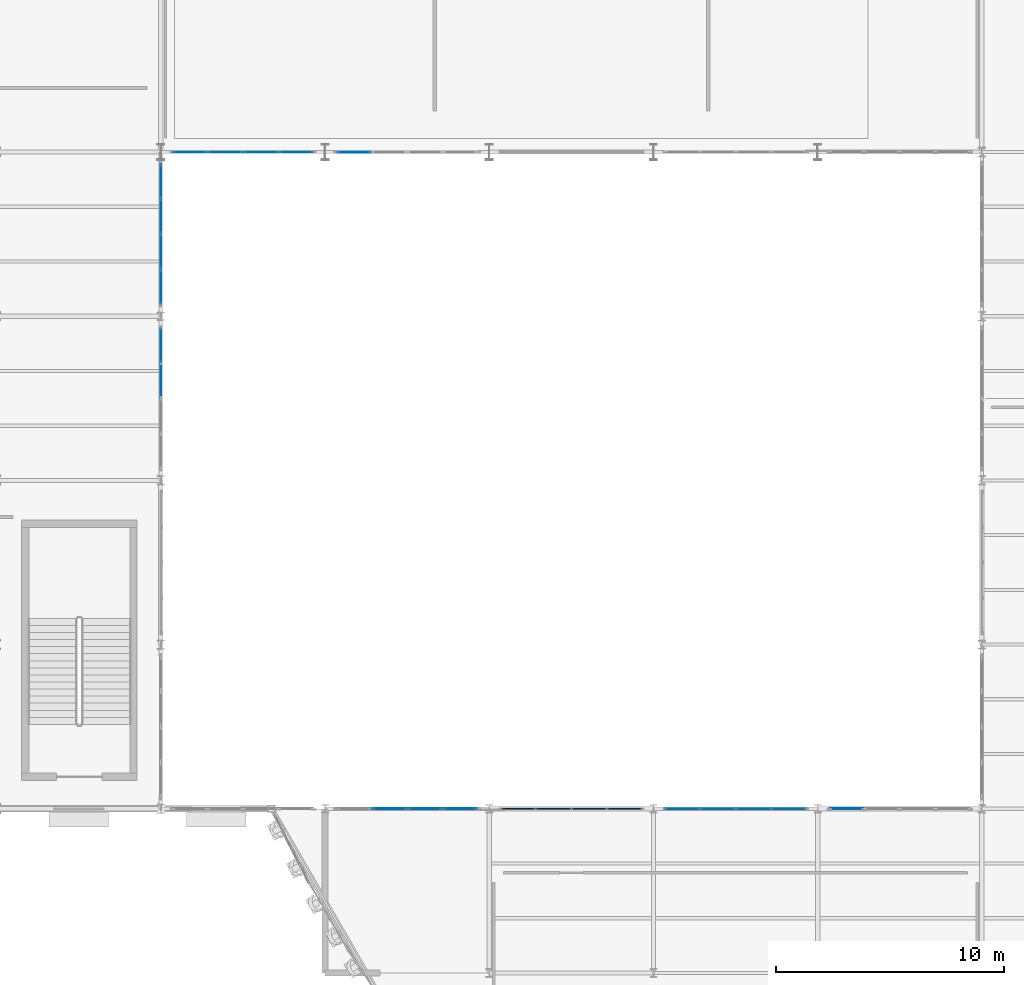
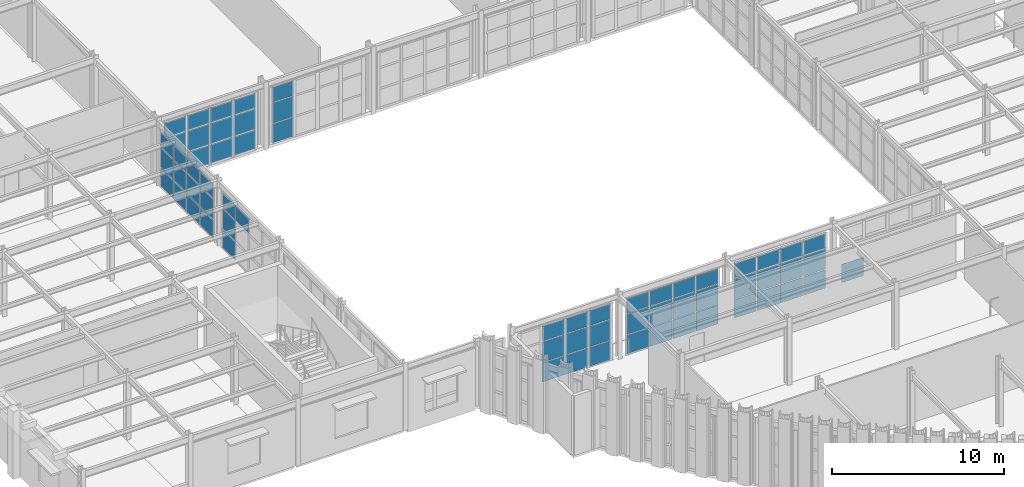
# One storey, part 85 of 126: 65 plates, 8 elements without a shape of their own.
"""IFC4 building model written with IfcOpenShell, lengths in metres."""

from ifc_helpers import new_model, si_unit, direction, frame, origin, origin_2d, place, context, subcontext, project, spatial, rectangle, extrude, material, layer, layer_set, type_object, element, aggregate, save


model = new_model("IFC4")

# Units and contexts
model_context = context("Model", 3, precision=1e-05, world=origin(), true_north=direction((0.0, 1.0)))
body_context = subcontext(model_context, "Body", "Model", "MODEL_VIEW")
ifc_project = project(units=[si_unit("LENGTHUNIT", "METRE"), si_unit("AREAUNIT", "SQUARE_METRE"), si_unit("VOLUMEUNIT", "CUBIC_METRE"), si_unit("PLANEANGLEUNIT", "RADIAN"), si_unit("MASSUNIT", "GRAM", prefix="KILO")], contexts=[model_context])

# Site, building, storey
site_placement = place(None, origin())
site = spatial("IfcSite", under=ifc_project, at=site_placement, CompositionType="ELEMENT")
building_placement = place(site_placement, origin())
building = spatial("IfcBuilding", under=site, at=building_placement, Name="Solvadek Multi-Sports Hall", CompositionType="ELEMENT")
storey_placement = place(building_placement, frame((0.0, 0.0, 9.60009765625)))
storey = spatial("IfcBuildingStorey", under=building, at=storey_placement, Name="L02", CompositionType="ELEMENT", Elevation=9.60009765625)

# Curtain wall, plates
ifc_material_1 = material(Name="Anodised aluminium", Category="aluminium")
ifc_layer_1 = layer(ifc_material_1, 0.159912109375, Name="Anodised aluminium")
ifc_layer_set_1 = layer_set([ifc_layer_1], Name="Anodised aluminium")
curtain_wall_type_1 = type_object("IfcCurtainWallType", Name="ENV-CW-624X400", PredefinedType="USERDEFINED", material=ifc_layer_set_1)
curtain_wall_1_placement = place(storey_placement, origin())
curtain_wall_1 = element("IfcCurtainWall", 1, at=curtain_wall_1_placement, inside=storey, type_object=curtain_wall_type_1, Name="L02 Perimeter Bay Curtain Wall #170", ObjectType="CURTAIN WALL", PredefinedType="USERDEFINED")
ifc_material_2 = material(Name="Tempered laminated low-E glass", Category="glass")
ifc_layer_2 = layer(ifc_material_2, 0.02392578125, Name="Tempered laminated low-E glass")
ifc_layer_set_2 = layer_set([ifc_layer_2], Name="Tempered laminated low-E glass")
plate_type_1 = type_object("IfcPlateType", Name="ENV-CWP-01", PredefinedType="CURTAIN_PANEL", material=ifc_layer_set_2)
plate_1_placement = place(storey_placement, frame((44.47509765625, 20.39990234375, 0.06494140625), z_axis=(0.0, 0.0, 1.0), x_axis=(1.0, 0.0, 0.0)))
plate_1 = element("IfcPlate", 2, at=plate_1_placement, type_object=plate_type_1, Name="CW-56 panel 1.1", PredefinedType="CURTAIN_PANEL", context=body_context, shape_type="SweptSolid", body=[
    extrude(rectangle(XDim=1.469970703125, YDim=0.02392578125, at=origin_2d()), origin(), (0.0, 0.0, 1.0), 1.302490234375),
])
plate_2_placement = place(storey_placement, frame((44.47509765625, 20.39990234375, 1.432373046875), z_axis=(0.0, 0.0, 1.0), x_axis=(1.0, 0.0, 0.0)))
plate_2 = element("IfcPlate", 3, at=plate_2_placement, type_object=plate_type_1, Name="CW-56 panel 1.2", PredefinedType="CURTAIN_PANEL", context=body_context, shape_type="SweptSolid", body=[
    extrude(rectangle(XDim=1.469970703125, YDim=0.02392578125, at=origin_2d()), origin(), (0.0, 0.0, 1.0), 1.4150390625),
])
plate_3_placement = place(storey_placement, frame((44.47509765625, 20.39990234375, 2.912353515625), z_axis=(0.0, 0.0, 1.0), x_axis=(1.0, 0.0, 0.0)))
plate_3 = element("IfcPlate", 4, at=plate_3_placement, type_object=plate_type_1, Name="CW-56 panel 1.3", PredefinedType="CURTAIN_PANEL", context=body_context, shape_type="SweptSolid", body=[
    extrude(rectangle(XDim=1.469970703125, YDim=0.02392578125, at=origin_2d()), origin(), (0.0, 0.0, 1.0), 1.0224609375),
])
plate_4_placement = place(storey_placement, frame((46.02001953125, 20.39990234375, 0.06494140625), z_axis=(0.0, 0.0, 1.0), x_axis=(1.0, 0.0, 0.0)))
plate_4 = element("IfcPlate", 5, at=plate_4_placement, type_object=plate_type_1, Name="CW-56 panel 2.1", PredefinedType="CURTAIN_PANEL", context=body_context, shape_type="SweptSolid", body=[
    extrude(rectangle(XDim=1.5, YDim=0.02392578125, at=origin_2d()), origin(), (0.0, 0.0, 1.0), 1.302490234375),
])
plate_5_placement = place(storey_placement, frame((46.02001953125, 20.39990234375, 1.432373046875), z_axis=(0.0, 0.0, 1.0), x_axis=(1.0, 0.0, 0.0)))
plate_5 = element("IfcPlate", 6, at=plate_5_placement, type_object=plate_type_1, Name="CW-56 panel 2.2", PredefinedType="CURTAIN_PANEL", context=body_context, shape_type="SweptSolid", body=[
    extrude(rectangle(XDim=1.5, YDim=0.02392578125, at=origin_2d()), origin(), (0.0, 0.0, 1.0), 1.4150390625),
])
plate_6_placement = place(storey_placement, frame((46.02001953125, 20.39990234375, 2.912353515625), z_axis=(0.0, 0.0, 1.0), x_axis=(1.0, 0.0, 0.0)))
plate_6 = element("IfcPlate", 7, at=plate_6_placement, type_object=plate_type_1, Name="CW-56 panel 2.3", PredefinedType="CURTAIN_PANEL", context=body_context, shape_type="SweptSolid", body=[
    extrude(rectangle(XDim=1.5, YDim=0.02392578125, at=origin_2d()), origin(), (0.0, 0.0, 1.0), 1.0224609375),
])
plate_7_placement = place(storey_placement, frame((47.580078125, 20.39990234375, 0.06494140625), z_axis=(0.0, 0.0, 1.0), x_axis=(1.0, 0.0, 0.0)))
plate_7 = element("IfcPlate", 8, at=plate_7_placement, type_object=plate_type_1, Name="CW-56 panel 3.1", PredefinedType="CURTAIN_PANEL", context=body_context, shape_type="SweptSolid", body=[
    extrude(rectangle(XDim=1.5, YDim=0.02392578125, at=origin_2d()), origin(), (0.0, 0.0, 1.0), 1.302490234375),
])
plate_8_placement = place(storey_placement, frame((47.580078125, 20.39990234375, 1.432373046875), z_axis=(0.0, 0.0, 1.0), x_axis=(1.0, 0.0, 0.0)))
plate_8 = element("IfcPlate", 9, at=plate_8_placement, type_object=plate_type_1, Name="CW-56 panel 3.2", PredefinedType="CURTAIN_PANEL", context=body_context, shape_type="SweptSolid", body=[
    extrude(rectangle(XDim=1.5, YDim=0.02392578125, at=origin_2d()), origin(), (0.0, 0.0, 1.0), 1.4150390625),
])
plate_9_placement = place(storey_placement, frame((47.580078125, 20.39990234375, 2.912353515625), z_axis=(0.0, 0.0, 1.0), x_axis=(1.0, 0.0, 0.0)))
plate_9 = element("IfcPlate", 10, at=plate_9_placement, type_object=plate_type_1, Name="CW-56 panel 3.3", PredefinedType="CURTAIN_PANEL", context=body_context, shape_type="SweptSolid", body=[
    extrude(rectangle(XDim=1.5, YDim=0.02392578125, at=origin_2d()), origin(), (0.0, 0.0, 1.0), 1.0224609375),
])
plate_10_placement = place(storey_placement, frame((49.125, 20.39990234375, 0.06494140625), z_axis=(0.0, 0.0, 1.0), x_axis=(1.0, 0.0, 0.0)))
plate_10 = element("IfcPlate", 11, at=plate_10_placement, type_object=plate_type_1, Name="CW-56 panel 4.1", PredefinedType="CURTAIN_PANEL", context=body_context, shape_type="SweptSolid", body=[
    extrude(rectangle(XDim=1.469970703125, YDim=0.02392578125, at=origin_2d()), origin(), (0.0, 0.0, 1.0), 1.302490234375),
])
plate_11_placement = place(storey_placement, frame((49.125, 20.39990234375, 1.432373046875), z_axis=(0.0, 0.0, 1.0), x_axis=(1.0, 0.0, 0.0)))
plate_11 = element("IfcPlate", 12, at=plate_11_placement, type_object=plate_type_1, Name="CW-56 panel 4.2", PredefinedType="CURTAIN_PANEL", context=body_context, shape_type="SweptSolid", body=[
    extrude(rectangle(XDim=1.469970703125, YDim=0.02392578125, at=origin_2d()), origin(), (0.0, 0.0, 1.0), 1.4150390625),
])
plate_12_placement = place(storey_placement, frame((49.125, 20.39990234375, 2.912353515625), z_axis=(0.0, 0.0, 1.0), x_axis=(1.0, 0.0, 0.0)))
plate_12 = element("IfcPlate", 13, at=plate_12_placement, type_object=plate_type_1, Name="CW-56 panel 4.3", PredefinedType="CURTAIN_PANEL", context=body_context, shape_type="SweptSolid", body=[
    extrude(rectangle(XDim=1.469970703125, YDim=0.02392578125, at=origin_2d()), origin(), (0.0, 0.0, 1.0), 1.0224609375),
])
aggregate(curtain_wall_1, [plate_1, plate_2, plate_3, plate_4, plate_5, plate_6, plate_7, plate_8, plate_9, plate_10, plate_11, plate_12])

curtain_wall_2_placement = place(storey_placement, origin())
curtain_wall_2 = element("IfcCurtainWall", 14, at=curtain_wall_2_placement, inside=storey, type_object=curtain_wall_type_1, Name="L02 Perimeter Bay Curtain Wall #194", ObjectType="CURTAIN WALL", PredefinedType="USERDEFINED")
plate_13_placement = place(storey_placement, frame((21.60009765625, 39.179931640625, 2.912353515625), z_axis=(0.0, 0.0, 1.0), x_axis=(0.0, 1.0, 0.0)))
plate_13 = element("IfcPlate", 15, at=plate_13_placement, type_object=plate_type_1, Name="CW-56 panel 3.3", PredefinedType="CURTAIN_PANEL", context=body_context, shape_type="SweptSolid", body=[
    extrude(rectangle(XDim=1.5, YDim=0.02392578125, at=origin_2d()), origin(), (0.0, 0.0, 1.0), 1.0224609375),
])
plate_14_placement = place(storey_placement, frame((21.60009765625, 40.72509765625, 0.06494140625), z_axis=(0.0, 0.0, 1.0), x_axis=(0.0, 1.0, 0.0)))
plate_14 = element("IfcPlate", 16, at=plate_14_placement, type_object=plate_type_1, Name="CW-56 panel 4.1", PredefinedType="CURTAIN_PANEL", context=body_context, shape_type="SweptSolid", body=[
    extrude(rectangle(XDim=1.469970703125, YDim=0.02392578125, at=origin_2d()), origin(), (0.0, 0.0, 1.0), 1.302490234375),
])
plate_15_placement = place(storey_placement, frame((21.60009765625, 40.72509765625, 1.432373046875), z_axis=(0.0, 0.0, 1.0), x_axis=(0.0, 1.0, 0.0)))
plate_15 = element("IfcPlate", 17, at=plate_15_placement, type_object=plate_type_1, Name="CW-56 panel 4.2", PredefinedType="CURTAIN_PANEL", context=body_context, shape_type="SweptSolid", body=[
    extrude(rectangle(XDim=1.469970703125, YDim=0.02392578125, at=origin_2d()), origin(), (0.0, 0.0, 1.0), 1.4150390625),
])
plate_16_placement = place(storey_placement, frame((21.60009765625, 40.72509765625, 2.912353515625), z_axis=(0.0, 0.0, 1.0), x_axis=(0.0, 1.0, 0.0)))
plate_16 = element("IfcPlate", 18, at=plate_16_placement, type_object=plate_type_1, Name="CW-56 panel 4.3", PredefinedType="CURTAIN_PANEL", context=body_context, shape_type="SweptSolid", body=[
    extrude(rectangle(XDim=1.469970703125, YDim=0.02392578125, at=origin_2d()), origin(), (0.0, 0.0, 1.0), 1.0224609375),
])
aggregate(curtain_wall_2, [plate_13, plate_14, plate_15, plate_16])

# Curtain wall, plate
ifc_layer_3 = layer(ifc_material_1, 0.159912109375, Name="Anodised aluminium")
ifc_layer_set_3 = layer_set([ifc_layer_3], Name="Anodised aluminium")
curtain_wall_type_2 = type_object("IfcCurtainWallType", Name="ENV-CW-624X397", PredefinedType="USERDEFINED", material=ifc_layer_set_3)
curtain_wall_3_placement = place(storey_placement, origin())
curtain_wall_3 = element("IfcCurtainWall", 19, at=curtain_wall_3_placement, inside=storey, type_object=curtain_wall_type_2, Name="L02 Perimeter Bay Curtain Wall #176", ObjectType="CURTAIN WALL", PredefinedType="USERDEFINED")
ifc_layer_4 = layer(ifc_material_2, 0.028076171875, Name="Tempered laminated low-E glass")
ifc_layer_set_4 = layer_set([ifc_layer_4], Name="Tempered laminated low-E glass")
plate_type_2 = type_object("IfcPlateType", Name="ENV-CWP-02", PredefinedType="CURTAIN_PANEL", material=ifc_layer_set_4)
plate_17_placement = place(storey_placement, frame((51.67626953125, 20.39990234375, 0.06494140625), z_axis=(0.0, 0.0, 1.0), x_axis=(1.0, 0.0, 0.0)))
plate_17 = element("IfcPlate", 20, at=plate_17_placement, type_object=plate_type_2, Name="CW-57 panel 1.1", PredefinedType="CURTAIN_PANEL", context=body_context, shape_type="SweptSolid", body=[
    extrude(rectangle(XDim=1.46240234375, YDim=0.028076171875, at=origin_2d()), origin(), (0.0, 0.0, 1.0), 1.29345703125),
])
aggregate(curtain_wall_3, [plate_17])

# Curtain wall, plates
curtain_wall_4_placement = place(storey_placement, origin())
curtain_wall_4 = element("IfcCurtainWall", 21, at=curtain_wall_4_placement, inside=storey, type_object=curtain_wall_type_2, Name="L02 Perimeter Bay Curtain Wall #199", ObjectType="CURTAIN WALL", PredefinedType="USERDEFINED")
plate_18_placement = place(storey_placement, frame((21.60009765625, 43.2763671875, 0.06494140625), z_axis=(0.0, 0.0, 1.0), x_axis=(0.0, 1.0, 0.0)))
plate_18 = element("IfcPlate", 22, at=plate_18_placement, type_object=plate_type_2, Name="CW-57 panel 1.1", PredefinedType="CURTAIN_PANEL", context=body_context, shape_type="SweptSolid", body=[
    extrude(rectangle(XDim=1.46240234375, YDim=0.028076171875, at=origin_2d()), origin(), (0.0, 0.0, 1.0), 1.29345703125),
])
plate_19_placement = place(storey_placement, frame((21.60009765625, 43.2763671875, 1.42333984375), z_axis=(0.0, 0.0, 1.0), x_axis=(0.0, 1.0, 0.0)))
plate_19 = element("IfcPlate", 23, at=plate_19_placement, type_object=plate_type_2, Name="CW-57 panel 1.2", PredefinedType="CURTAIN_PANEL", context=body_context, shape_type="SweptSolid", body=[
    extrude(rectangle(XDim=1.46240234375, YDim=0.028076171875, at=origin_2d()), origin(), (0.0, 0.0, 1.0), 1.406005859375),
])
plate_20_placement = place(storey_placement, frame((21.60009765625, 43.2763671875, 2.89453125), z_axis=(0.0, 0.0, 1.0), x_axis=(0.0, 1.0, 0.0)))
plate_20 = element("IfcPlate", 24, at=plate_20_placement, type_object=plate_type_2, Name="CW-57 panel 1.3", PredefinedType="CURTAIN_PANEL", context=body_context, shape_type="SweptSolid", body=[
    extrude(rectangle(XDim=1.46240234375, YDim=0.028076171875, at=origin_2d()), origin(), (0.0, 0.0, 1.0), 1.015380859375),
])
plate_21_placement = place(storey_placement, frame((21.60009765625, 44.820068359375, 0.06494140625), z_axis=(0.0, 0.0, 1.0), x_axis=(0.0, 1.0, 0.0)))
plate_21 = element("IfcPlate", 25, at=plate_21_placement, type_object=plate_type_2, Name="CW-57 panel 2.1", PredefinedType="CURTAIN_PANEL", context=body_context, shape_type="SweptSolid", body=[
    extrude(rectangle(XDim=1.4951171875, YDim=0.028076171875, at=origin_2d()), origin(), (0.0, 0.0, 1.0), 1.29345703125),
])
plate_22_placement = place(storey_placement, frame((21.60009765625, 44.820068359375, 1.42333984375), z_axis=(0.0, 0.0, 1.0), x_axis=(0.0, 1.0, 0.0)))
plate_22 = element("IfcPlate", 26, at=plate_22_placement, type_object=plate_type_2, Name="CW-57 panel 2.2", PredefinedType="CURTAIN_PANEL", context=body_context, shape_type="SweptSolid", body=[
    extrude(rectangle(XDim=1.4951171875, YDim=0.028076171875, at=origin_2d()), origin(), (0.0, 0.0, 1.0), 1.406005859375),
])
plate_23_placement = place(storey_placement, frame((21.60009765625, 44.820068359375, 2.89453125), z_axis=(0.0, 0.0, 1.0), x_axis=(0.0, 1.0, 0.0)))
plate_23 = element("IfcPlate", 27, at=plate_23_placement, type_object=plate_type_2, Name="CW-57 panel 2.3", PredefinedType="CURTAIN_PANEL", context=body_context, shape_type="SweptSolid", body=[
    extrude(rectangle(XDim=1.4951171875, YDim=0.028076171875, at=origin_2d()), origin(), (0.0, 0.0, 1.0), 1.015380859375),
])
plate_24_placement = place(storey_placement, frame((21.60009765625, 46.3798828125, 0.06494140625), z_axis=(0.0, 0.0, 1.0), x_axis=(0.0, 1.0, 0.0)))
plate_24 = element("IfcPlate", 28, at=plate_24_placement, type_object=plate_type_2, Name="CW-57 panel 3.1", PredefinedType="CURTAIN_PANEL", context=body_context, shape_type="SweptSolid", body=[
    extrude(rectangle(XDim=1.4951171875, YDim=0.028076171875, at=origin_2d()), origin(), (0.0, 0.0, 1.0), 1.29345703125),
])
plate_25_placement = place(storey_placement, frame((21.60009765625, 46.3798828125, 1.42333984375), z_axis=(0.0, 0.0, 1.0), x_axis=(0.0, 1.0, 0.0)))
plate_25 = element("IfcPlate", 29, at=plate_25_placement, type_object=plate_type_2, Name="CW-57 panel 3.2", PredefinedType="CURTAIN_PANEL", context=body_context, shape_type="SweptSolid", body=[
    extrude(rectangle(XDim=1.4951171875, YDim=0.028076171875, at=origin_2d()), origin(), (0.0, 0.0, 1.0), 1.406005859375),
])
plate_26_placement = place(storey_placement, frame((21.60009765625, 46.3798828125, 2.89453125), z_axis=(0.0, 0.0, 1.0), x_axis=(0.0, 1.0, 0.0)))
plate_26 = element("IfcPlate", 30, at=plate_26_placement, type_object=plate_type_2, Name="CW-57 panel 3.3", PredefinedType="CURTAIN_PANEL", context=body_context, shape_type="SweptSolid", body=[
    extrude(rectangle(XDim=1.4951171875, YDim=0.028076171875, at=origin_2d()), origin(), (0.0, 0.0, 1.0), 1.015380859375),
])
plate_27_placement = place(storey_placement, frame((21.60009765625, 47.923828125, 0.06494140625), z_axis=(0.0, 0.0, 1.0), x_axis=(0.0, 1.0, 0.0)))
plate_27 = element("IfcPlate", 31, at=plate_27_placement, type_object=plate_type_2, Name="CW-57 panel 4.1", PredefinedType="CURTAIN_PANEL", context=body_context, shape_type="SweptSolid", body=[
    extrude(rectangle(XDim=1.46240234375, YDim=0.028076171875, at=origin_2d()), origin(), (0.0, 0.0, 1.0), 1.29345703125),
])
plate_28_placement = place(storey_placement, frame((21.60009765625, 47.923828125, 1.42333984375), z_axis=(0.0, 0.0, 1.0), x_axis=(0.0, 1.0, 0.0)))
plate_28 = element("IfcPlate", 32, at=plate_28_placement, type_object=plate_type_2, Name="CW-57 panel 4.2", PredefinedType="CURTAIN_PANEL", context=body_context, shape_type="SweptSolid", body=[
    extrude(rectangle(XDim=1.46240234375, YDim=0.028076171875, at=origin_2d()), origin(), (0.0, 0.0, 1.0), 1.406005859375),
])
plate_29_placement = place(storey_placement, frame((21.60009765625, 47.923828125, 2.89453125), z_axis=(0.0, 0.0, 1.0), x_axis=(0.0, 1.0, 0.0)))
plate_29 = element("IfcPlate", 33, at=plate_29_placement, type_object=plate_type_2, Name="CW-57 panel 4.3", PredefinedType="CURTAIN_PANEL", context=body_context, shape_type="SweptSolid", body=[
    extrude(rectangle(XDim=1.46240234375, YDim=0.028076171875, at=origin_2d()), origin(), (0.0, 0.0, 1.0), 1.015380859375),
])
aggregate(curtain_wall_4, [plate_18, plate_19, plate_20, plate_21, plate_22, plate_23, plate_24, plate_25, plate_26, plate_27, plate_28, plate_29])

ifc_layer_5 = layer(ifc_material_1, 0.159912109375, Name="Anodised aluminium")
ifc_layer_set_5 = layer_set([ifc_layer_5], Name="Anodised aluminium")
curtain_wall_type_3 = type_object("IfcCurtainWallType", Name="ENV-CW-624X408", PredefinedType="USERDEFINED", material=ifc_layer_set_5)
curtain_wall_5_placement = place(storey_placement, origin())
curtain_wall_5 = element("IfcCurtainWall", 34, at=curtain_wall_5_placement, inside=storey, type_object=curtain_wall_type_3, Name="L02 Perimeter Bay Curtain Wall #157", ObjectType="CURTAIN WALL", PredefinedType="USERDEFINED")
ifc_layer_6 = layer(ifc_material_2, 0.035888671875, Name="Tempered laminated low-E glass")
ifc_layer_set_6 = layer_set([ifc_layer_6], Name="Tempered laminated low-E glass")
plate_type_3 = type_object("IfcPlateType", Name="ENV-CWP-04", PredefinedType="CURTAIN_PANEL", material=ifc_layer_set_6)
plate_30_placement = place(storey_placement, frame((22.876220703125, 49.199951171875, 0.06494140625), z_axis=(0.0, 0.0, 1.0), x_axis=(1.0, 0.0, 0.0)))
plate_30 = element("IfcPlate", 35, at=plate_30_placement, type_object=plate_type_3, Name="CW-40 panel 1.1", PredefinedType="CURTAIN_PANEL", context=body_context, shape_type="SweptSolid", body=[
    extrude(rectangle(XDim=1.46240234375, YDim=0.035888671875, at=origin_2d()), origin(), (0.0, 0.0, 1.0), 1.32861328125),
])
plate_31_placement = place(storey_placement, frame((22.876220703125, 49.199951171875, 1.45849609375), z_axis=(0.0, 0.0, 1.0), x_axis=(1.0, 0.0, 0.0)))
plate_31 = element("IfcPlate", 36, at=plate_31_placement, type_object=plate_type_3, Name="CW-40 panel 1.2", PredefinedType="CURTAIN_PANEL", context=body_context, shape_type="SweptSolid", body=[
    extrude(rectangle(XDim=1.46240234375, YDim=0.035888671875, at=origin_2d()), origin(), (0.0, 0.0, 1.0), 1.443115234375),
])
plate_32_placement = place(storey_placement, frame((22.876220703125, 49.199951171875, 2.96630859375), z_axis=(0.0, 0.0, 1.0), x_axis=(1.0, 0.0, 0.0)))
plate_32 = element("IfcPlate", 37, at=plate_32_placement, type_object=plate_type_3, Name="CW-40 panel 1.3", PredefinedType="CURTAIN_PANEL", context=body_context, shape_type="SweptSolid", body=[
    extrude(rectangle(XDim=1.46240234375, YDim=0.035888671875, at=origin_2d()), origin(), (0.0, 0.0, 1.0), 1.04345703125),
])
plate_33_placement = place(storey_placement, frame((24.419921875, 49.199951171875, 0.06494140625), z_axis=(0.0, 0.0, 1.0), x_axis=(1.0, 0.0, 0.0)))
plate_33 = element("IfcPlate", 38, at=plate_33_placement, type_object=plate_type_3, Name="CW-40 panel 2.1", PredefinedType="CURTAIN_PANEL", context=body_context, shape_type="SweptSolid", body=[
    extrude(rectangle(XDim=1.4951171875, YDim=0.035888671875, at=origin_2d()), origin(), (0.0, 0.0, 1.0), 1.32861328125),
])
plate_34_placement = place(storey_placement, frame((24.419921875, 49.199951171875, 1.45849609375), z_axis=(0.0, 0.0, 1.0), x_axis=(1.0, 0.0, 0.0)))
plate_34 = element("IfcPlate", 39, at=plate_34_placement, type_object=plate_type_3, Name="CW-40 panel 2.2", PredefinedType="CURTAIN_PANEL", context=body_context, shape_type="SweptSolid", body=[
    extrude(rectangle(XDim=1.4951171875, YDim=0.035888671875, at=origin_2d()), origin(), (0.0, 0.0, 1.0), 1.443115234375),
])
plate_35_placement = place(storey_placement, frame((24.419921875, 49.199951171875, 2.96630859375), z_axis=(0.0, 0.0, 1.0), x_axis=(1.0, 0.0, 0.0)))
plate_35 = element("IfcPlate", 40, at=plate_35_placement, type_object=plate_type_3, Name="CW-40 panel 2.3", PredefinedType="CURTAIN_PANEL", context=body_context, shape_type="SweptSolid", body=[
    extrude(rectangle(XDim=1.4951171875, YDim=0.035888671875, at=origin_2d()), origin(), (0.0, 0.0, 1.0), 1.04345703125),
])
plate_36_placement = place(storey_placement, frame((25.97998046875, 49.199951171875, 0.06494140625), z_axis=(0.0, 0.0, 1.0), x_axis=(1.0, 0.0, 0.0)))
plate_36 = element("IfcPlate", 41, at=plate_36_placement, type_object=plate_type_3, Name="CW-40 panel 3.1", PredefinedType="CURTAIN_PANEL", context=body_context, shape_type="SweptSolid", body=[
    extrude(rectangle(XDim=1.4951171875, YDim=0.035888671875, at=origin_2d()), origin(), (0.0, 0.0, 1.0), 1.32861328125),
])
plate_37_placement = place(storey_placement, frame((25.97998046875, 49.199951171875, 1.45849609375), z_axis=(0.0, 0.0, 1.0), x_axis=(1.0, 0.0, 0.0)))
plate_37 = element("IfcPlate", 42, at=plate_37_placement, type_object=plate_type_3, Name="CW-40 panel 3.2", PredefinedType="CURTAIN_PANEL", context=body_context, shape_type="SweptSolid", body=[
    extrude(rectangle(XDim=1.4951171875, YDim=0.035888671875, at=origin_2d()), origin(), (0.0, 0.0, 1.0), 1.443115234375),
])
plate_38_placement = place(storey_placement, frame((25.97998046875, 49.199951171875, 2.96630859375), z_axis=(0.0, 0.0, 1.0), x_axis=(1.0, 0.0, 0.0)))
plate_38 = element("IfcPlate", 43, at=plate_38_placement, type_object=plate_type_3, Name="CW-40 panel 3.3", PredefinedType="CURTAIN_PANEL", context=body_context, shape_type="SweptSolid", body=[
    extrude(rectangle(XDim=1.4951171875, YDim=0.035888671875, at=origin_2d()), origin(), (0.0, 0.0, 1.0), 1.04345703125),
])
plate_39_placement = place(storey_placement, frame((27.523681640625, 49.199951171875, 0.06494140625), z_axis=(0.0, 0.0, 1.0), x_axis=(1.0, 0.0, 0.0)))
plate_39 = element("IfcPlate", 44, at=plate_39_placement, type_object=plate_type_3, Name="CW-40 panel 4.1", PredefinedType="CURTAIN_PANEL", context=body_context, shape_type="SweptSolid", body=[
    extrude(rectangle(XDim=1.46240234375, YDim=0.035888671875, at=origin_2d()), origin(), (0.0, 0.0, 1.0), 1.32861328125),
])
plate_40_placement = place(storey_placement, frame((27.523681640625, 49.199951171875, 1.45849609375), z_axis=(0.0, 0.0, 1.0), x_axis=(1.0, 0.0, 0.0)))
plate_40 = element("IfcPlate", 45, at=plate_40_placement, type_object=plate_type_3, Name="CW-40 panel 4.2", PredefinedType="CURTAIN_PANEL", context=body_context, shape_type="SweptSolid", body=[
    extrude(rectangle(XDim=1.46240234375, YDim=0.035888671875, at=origin_2d()), origin(), (0.0, 0.0, 1.0), 1.443115234375),
])
plate_41_placement = place(storey_placement, frame((27.523681640625, 49.199951171875, 2.96630859375), z_axis=(0.0, 0.0, 1.0), x_axis=(1.0, 0.0, 0.0)))
plate_41 = element("IfcPlate", 46, at=plate_41_placement, type_object=plate_type_3, Name="CW-40 panel 4.3", PredefinedType="CURTAIN_PANEL", context=body_context, shape_type="SweptSolid", body=[
    extrude(rectangle(XDim=1.46240234375, YDim=0.035888671875, at=origin_2d()), origin(), (0.0, 0.0, 1.0), 1.04345703125),
])
aggregate(curtain_wall_5, [plate_30, plate_31, plate_32, plate_33, plate_34, plate_35, plate_36, plate_37, plate_38, plate_39, plate_40, plate_41])

ifc_layer_7 = layer(ifc_material_1, 0.159912109375, Name="Anodised aluminium")
ifc_layer_set_7 = layer_set([ifc_layer_7], Name="Anodised aluminium")
curtain_wall_type_4 = type_object("IfcCurtainWallType", Name="ENV-CW-624X405", PredefinedType="USERDEFINED", material=ifc_layer_set_7)
curtain_wall_6_placement = place(storey_placement, origin())
curtain_wall_6 = element("IfcCurtainWall", 47, at=curtain_wall_6_placement, inside=storey, type_object=curtain_wall_type_4, Name="L02 Perimeter Bay Curtain Wall #160", ObjectType="CURTAIN WALL", PredefinedType="USERDEFINED")
ifc_layer_8 = layer(ifc_material_2, 0.0419921875, Name="Tempered laminated low-E glass")
ifc_layer_set_8 = layer_set([ifc_layer_8], Name="Tempered laminated low-E glass")
plate_type_4 = type_object("IfcPlateType", Name="ENV-CWP-05", PredefinedType="CURTAIN_PANEL", material=ifc_layer_set_8)
plate_42_placement = place(storey_placement, frame((31.6201171875, 20.39990234375, 0.06005859375), z_axis=(0.0, 0.0, 1.0), x_axis=(1.0, 0.0, 0.0)))
plate_42 = element("IfcPlate", 48, at=plate_42_placement, type_object=plate_type_4, Name="CW-52 panel 2.1", PredefinedType="CURTAIN_PANEL", context=body_context, shape_type="SweptSolid", body=[
    extrude(rectangle(XDim=1.489990234375, YDim=0.0419921875, at=origin_2d()), origin(), (0.0, 0.0, 1.0), 1.327880859375),
])
plate_43_placement = place(storey_placement, frame((31.6201171875, 20.39990234375, 1.447998046875), z_axis=(0.0, 0.0, 1.0), x_axis=(1.0, 0.0, 0.0)))
plate_43 = element("IfcPlate", 49, at=plate_43_placement, type_object=plate_type_4, Name="CW-52 panel 2.2", PredefinedType="CURTAIN_PANEL", context=body_context, shape_type="SweptSolid", body=[
    extrude(rectangle(XDim=1.489990234375, YDim=0.0419921875, at=origin_2d()), origin(), (0.0, 0.0, 1.0), 1.43798828125),
])
plate_44_placement = place(storey_placement, frame((31.6201171875, 20.39990234375, 2.946044921875), z_axis=(0.0, 0.0, 1.0), x_axis=(1.0, 0.0, 0.0)))
plate_44 = element("IfcPlate", 50, at=plate_44_placement, type_object=plate_type_4, Name="CW-52 panel 2.3", PredefinedType="CURTAIN_PANEL", context=body_context, shape_type="SweptSolid", body=[
    extrude(rectangle(XDim=1.489990234375, YDim=0.0419921875, at=origin_2d()), origin(), (0.0, 0.0, 1.0), 1.0439453125),
])
plate_45_placement = place(storey_placement, frame((33.179931640625, 20.39990234375, 0.06005859375), z_axis=(0.0, 0.0, 1.0), x_axis=(1.0, 0.0, 0.0)))
plate_45 = element("IfcPlate", 51, at=plate_45_placement, type_object=plate_type_4, Name="CW-52 panel 3.1", PredefinedType="CURTAIN_PANEL", context=body_context, shape_type="SweptSolid", body=[
    extrude(rectangle(XDim=1.489990234375, YDim=0.0419921875, at=origin_2d()), origin(), (0.0, 0.0, 1.0), 1.327880859375),
])
plate_46_placement = place(storey_placement, frame((33.179931640625, 20.39990234375, 1.447998046875), z_axis=(0.0, 0.0, 1.0), x_axis=(1.0, 0.0, 0.0)))
plate_46 = element("IfcPlate", 52, at=plate_46_placement, type_object=plate_type_4, Name="CW-52 panel 3.2", PredefinedType="CURTAIN_PANEL", context=body_context, shape_type="SweptSolid", body=[
    extrude(rectangle(XDim=1.489990234375, YDim=0.0419921875, at=origin_2d()), origin(), (0.0, 0.0, 1.0), 1.43798828125),
])
plate_47_placement = place(storey_placement, frame((33.179931640625, 20.39990234375, 2.946044921875), z_axis=(0.0, 0.0, 1.0), x_axis=(1.0, 0.0, 0.0)))
plate_47 = element("IfcPlate", 53, at=plate_47_placement, type_object=plate_type_4, Name="CW-52 panel 3.3", PredefinedType="CURTAIN_PANEL", context=body_context, shape_type="SweptSolid", body=[
    extrude(rectangle(XDim=1.489990234375, YDim=0.0419921875, at=origin_2d()), origin(), (0.0, 0.0, 1.0), 1.0439453125),
])
plate_48_placement = place(storey_placement, frame((34.722412109375, 20.39990234375, 0.06005859375), z_axis=(0.0, 0.0, 1.0), x_axis=(1.0, 0.0, 0.0)))
plate_48 = element("IfcPlate", 54, at=plate_48_placement, type_object=plate_type_4, Name="CW-52 panel 4.1", PredefinedType="CURTAIN_PANEL", context=body_context, shape_type="SweptSolid", body=[
    extrude(rectangle(XDim=1.455078125, YDim=0.0419921875, at=origin_2d()), origin(), (0.0, 0.0, 1.0), 1.327880859375),
])
plate_49_placement = place(storey_placement, frame((34.722412109375, 20.39990234375, 1.447998046875), z_axis=(0.0, 0.0, 1.0), x_axis=(1.0, 0.0, 0.0)))
plate_49 = element("IfcPlate", 55, at=plate_49_placement, type_object=plate_type_4, Name="CW-52 panel 4.2", PredefinedType="CURTAIN_PANEL", context=body_context, shape_type="SweptSolid", body=[
    extrude(rectangle(XDim=1.455078125, YDim=0.0419921875, at=origin_2d()), origin(), (0.0, 0.0, 1.0), 1.43798828125),
])
plate_50_placement = place(storey_placement, frame((34.722412109375, 20.39990234375, 2.946044921875), z_axis=(0.0, 0.0, 1.0), x_axis=(1.0, 0.0, 0.0)))
plate_50 = element("IfcPlate", 56, at=plate_50_placement, type_object=plate_type_4, Name="CW-52 panel 4.3", PredefinedType="CURTAIN_PANEL", context=body_context, shape_type="SweptSolid", body=[
    extrude(rectangle(XDim=1.455078125, YDim=0.0419921875, at=origin_2d()), origin(), (0.0, 0.0, 1.0), 1.0439453125),
])
aggregate(curtain_wall_6, [plate_42, plate_43, plate_44, plate_45, plate_46, plate_47, plate_48, plate_49, plate_50])

curtain_wall_7_placement = place(storey_placement, origin())
curtain_wall_7 = element("IfcCurtainWall", 57, at=curtain_wall_7_placement, inside=storey, type_object=curtain_wall_type_4, Name="L02 Perimeter Bay Curtain Wall #163", ObjectType="CURTAIN WALL", PredefinedType="USERDEFINED")
plate_51_placement = place(storey_placement, frame((30.077392578125, 49.199951171875, 0.06005859375), z_axis=(0.0, 0.0, 1.0), x_axis=(1.0, 0.0, 0.0)))
plate_51 = element("IfcPlate", 58, at=plate_51_placement, type_object=plate_type_4, Name="CW-52 panel 1.1", PredefinedType="CURTAIN_PANEL", context=body_context, shape_type="SweptSolid", body=[
    extrude(rectangle(XDim=1.455078125, YDim=0.0419921875, at=origin_2d()), origin(), (0.0, 0.0, 1.0), 1.327880859375),
])
plate_52_placement = place(storey_placement, frame((30.077392578125, 49.199951171875, 1.447998046875), z_axis=(0.0, 0.0, 1.0), x_axis=(1.0, 0.0, 0.0)))
plate_52 = element("IfcPlate", 59, at=plate_52_placement, type_object=plate_type_4, Name="CW-52 panel 1.2", PredefinedType="CURTAIN_PANEL", context=body_context, shape_type="SweptSolid", body=[
    extrude(rectangle(XDim=1.455078125, YDim=0.0419921875, at=origin_2d()), origin(), (0.0, 0.0, 1.0), 1.43798828125),
])
plate_53_placement = place(storey_placement, frame((30.077392578125, 49.199951171875, 2.946044921875), z_axis=(0.0, 0.0, 1.0), x_axis=(1.0, 0.0, 0.0)))
plate_53 = element("IfcPlate", 60, at=plate_53_placement, type_object=plate_type_4, Name="CW-52 panel 1.3", PredefinedType="CURTAIN_PANEL", context=body_context, shape_type="SweptSolid", body=[
    extrude(rectangle(XDim=1.455078125, YDim=0.0419921875, at=origin_2d()), origin(), (0.0, 0.0, 1.0), 1.0439453125),
])
aggregate(curtain_wall_7, [plate_51, plate_52, plate_53])

ifc_layer_9 = layer(ifc_material_1, 0.159912109375, Name="Anodised aluminium")
ifc_layer_set_9 = layer_set([ifc_layer_9], Name="Anodised aluminium")
curtain_wall_type_5 = type_object("IfcCurtainWallType", Name="ENV-CW-624X403", PredefinedType="USERDEFINED", material=ifc_layer_set_9)
curtain_wall_8_placement = place(storey_placement, origin())
curtain_wall_8 = element("IfcCurtainWall", 61, at=curtain_wall_8_placement, inside=storey, type_object=curtain_wall_type_5, Name="L02 Perimeter Bay Curtain Wall #165", ObjectType="CURTAIN WALL", PredefinedType="USERDEFINED")
ifc_layer_10 = layer(ifc_material_2, 0.048095703125, Name="Tempered laminated low-E glass")
ifc_layer_set_10 = layer_set([ifc_layer_10], Name="Tempered laminated low-E glass")
plate_type_5 = type_object("IfcPlateType", Name="ENV-CWP-06", PredefinedType="CURTAIN_PANEL", material=ifc_layer_set_10)
plate_54_placement = place(storey_placement, frame((37.27490234375, 20.39990234375, 0.06005859375), z_axis=(0.0, 0.0, 1.0), x_axis=(1.0, 0.0, 0.0)))
plate_54 = element("IfcPlate", 62, at=plate_54_placement, type_object=plate_type_5, Name="CW-43 panel 1.1", PredefinedType="CURTAIN_PANEL", context=body_context, shape_type="SweptSolid", body=[
    extrude(rectangle(XDim=1.469970703125, YDim=0.048095703125, at=origin_2d()), origin(), (0.0, 0.0, 1.0), 1.319091796875),
])
plate_55_placement = place(storey_placement, frame((37.27490234375, 20.39990234375, 1.43896484375), z_axis=(0.0, 0.0, 1.0), x_axis=(1.0, 0.0, 0.0)))
plate_55 = element("IfcPlate", 63, at=plate_55_placement, type_object=plate_type_5, Name="CW-43 panel 1.2", PredefinedType="CURTAIN_PANEL", context=body_context, shape_type="SweptSolid", body=[
    extrude(rectangle(XDim=1.469970703125, YDim=0.048095703125, at=origin_2d()), origin(), (0.0, 0.0, 1.0), 1.428955078125),
])
plate_56_placement = place(storey_placement, frame((37.27490234375, 20.39990234375, 2.927734375), z_axis=(0.0, 0.0, 1.0), x_axis=(1.0, 0.0, 0.0)))
plate_56 = element("IfcPlate", 64, at=plate_56_placement, type_object=plate_type_5, Name="CW-43 panel 1.3", PredefinedType="CURTAIN_PANEL", context=body_context, shape_type="SweptSolid", body=[
    extrude(rectangle(XDim=1.469970703125, YDim=0.048095703125, at=origin_2d()), origin(), (0.0, 0.0, 1.0), 1.037109375),
])
plate_57_placement = place(storey_placement, frame((38.820068359375, 20.39990234375, 0.06005859375), z_axis=(0.0, 0.0, 1.0), x_axis=(1.0, 0.0, 0.0)))
plate_57 = element("IfcPlate", 65, at=plate_57_placement, type_object=plate_type_5, Name="CW-43 panel 2.1", PredefinedType="CURTAIN_PANEL", context=body_context, shape_type="SweptSolid", body=[
    extrude(rectangle(XDim=1.5, YDim=0.048095703125, at=origin_2d()), origin(), (0.0, 0.0, 1.0), 1.319091796875),
])
plate_58_placement = place(storey_placement, frame((38.820068359375, 20.39990234375, 1.43896484375), z_axis=(0.0, 0.0, 1.0), x_axis=(1.0, 0.0, 0.0)))
plate_58 = element("IfcPlate", 66, at=plate_58_placement, type_object=plate_type_5, Name="CW-43 panel 2.2", PredefinedType="CURTAIN_PANEL", context=body_context, shape_type="SweptSolid", body=[
    extrude(rectangle(XDim=1.5, YDim=0.048095703125, at=origin_2d()), origin(), (0.0, 0.0, 1.0), 1.428955078125),
])
plate_59_placement = place(storey_placement, frame((38.820068359375, 20.39990234375, 2.927734375), z_axis=(0.0, 0.0, 1.0), x_axis=(1.0, 0.0, 0.0)))
plate_59 = element("IfcPlate", 67, at=plate_59_placement, type_object=plate_type_5, Name="CW-43 panel 2.3", PredefinedType="CURTAIN_PANEL", context=body_context, shape_type="SweptSolid", body=[
    extrude(rectangle(XDim=1.5, YDim=0.048095703125, at=origin_2d()), origin(), (0.0, 0.0, 1.0), 1.037109375),
])
plate_60_placement = place(storey_placement, frame((40.3798828125, 20.39990234375, 0.06005859375), z_axis=(0.0, 0.0, 1.0), x_axis=(1.0, 0.0, 0.0)))
plate_60 = element("IfcPlate", 68, at=plate_60_placement, type_object=plate_type_5, Name="CW-43 panel 3.1", PredefinedType="CURTAIN_PANEL", context=body_context, shape_type="SweptSolid", body=[
    extrude(rectangle(XDim=1.5, YDim=0.048095703125, at=origin_2d()), origin(), (0.0, 0.0, 1.0), 1.319091796875),
])
plate_61_placement = place(storey_placement, frame((40.3798828125, 20.39990234375, 1.43896484375), z_axis=(0.0, 0.0, 1.0), x_axis=(1.0, 0.0, 0.0)))
plate_61 = element("IfcPlate", 69, at=plate_61_placement, type_object=plate_type_5, Name="CW-43 panel 3.2", PredefinedType="CURTAIN_PANEL", context=body_context, shape_type="SweptSolid", body=[
    extrude(rectangle(XDim=1.5, YDim=0.048095703125, at=origin_2d()), origin(), (0.0, 0.0, 1.0), 1.428955078125),
])
plate_62_placement = place(storey_placement, frame((40.3798828125, 20.39990234375, 2.927734375), z_axis=(0.0, 0.0, 1.0), x_axis=(1.0, 0.0, 0.0)))
plate_62 = element("IfcPlate", 70, at=plate_62_placement, type_object=plate_type_5, Name="CW-43 panel 3.3", PredefinedType="CURTAIN_PANEL", context=body_context, shape_type="SweptSolid", body=[
    extrude(rectangle(XDim=1.5, YDim=0.048095703125, at=origin_2d()), origin(), (0.0, 0.0, 1.0), 1.037109375),
])
plate_63_placement = place(storey_placement, frame((41.925048828125, 20.39990234375, 0.06005859375), z_axis=(0.0, 0.0, 1.0), x_axis=(1.0, 0.0, 0.0)))
plate_63 = element("IfcPlate", 71, at=plate_63_placement, type_object=plate_type_5, Name="CW-43 panel 4.1", PredefinedType="CURTAIN_PANEL", context=body_context, shape_type="SweptSolid", body=[
    extrude(rectangle(XDim=1.469970703125, YDim=0.048095703125, at=origin_2d()), origin(), (0.0, 0.0, 1.0), 1.319091796875),
])
plate_64_placement = place(storey_placement, frame((41.925048828125, 20.39990234375, 1.43896484375), z_axis=(0.0, 0.0, 1.0), x_axis=(1.0, 0.0, 0.0)))
plate_64 = element("IfcPlate", 72, at=plate_64_placement, type_object=plate_type_5, Name="CW-43 panel 4.2", PredefinedType="CURTAIN_PANEL", context=body_context, shape_type="SweptSolid", body=[
    extrude(rectangle(XDim=1.469970703125, YDim=0.048095703125, at=origin_2d()), origin(), (0.0, 0.0, 1.0), 1.428955078125),
])
plate_65_placement = place(storey_placement, frame((41.925048828125, 20.39990234375, 2.927734375), z_axis=(0.0, 0.0, 1.0), x_axis=(1.0, 0.0, 0.0)))
plate_65 = element("IfcPlate", 73, at=plate_65_placement, type_object=plate_type_5, Name="CW-43 panel 4.3", PredefinedType="CURTAIN_PANEL", context=body_context, shape_type="SweptSolid", body=[
    extrude(rectangle(XDim=1.469970703125, YDim=0.048095703125, at=origin_2d()), origin(), (0.0, 0.0, 1.0), 1.037109375),
])
aggregate(curtain_wall_8, [plate_54, plate_55, plate_56, plate_57, plate_58, plate_59, plate_60, plate_61, plate_62, plate_63, plate_64, plate_65])

save(model, "model.ifc")
